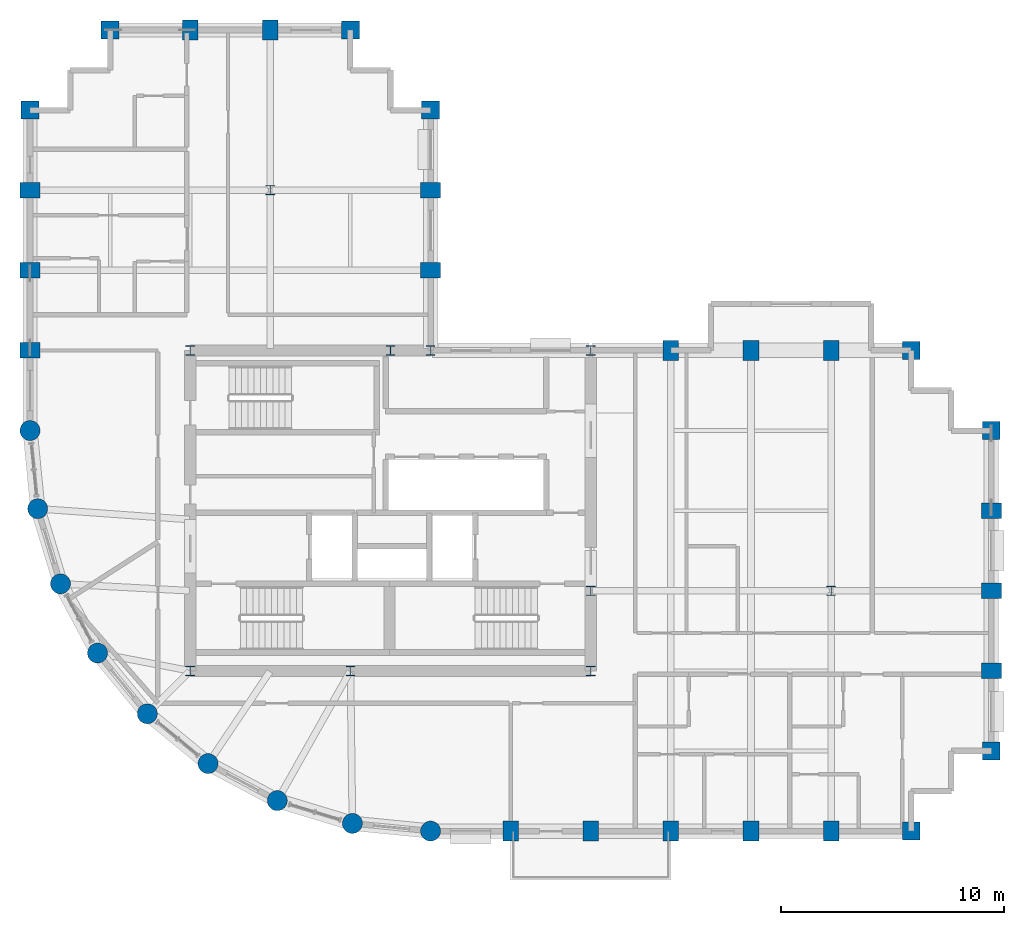
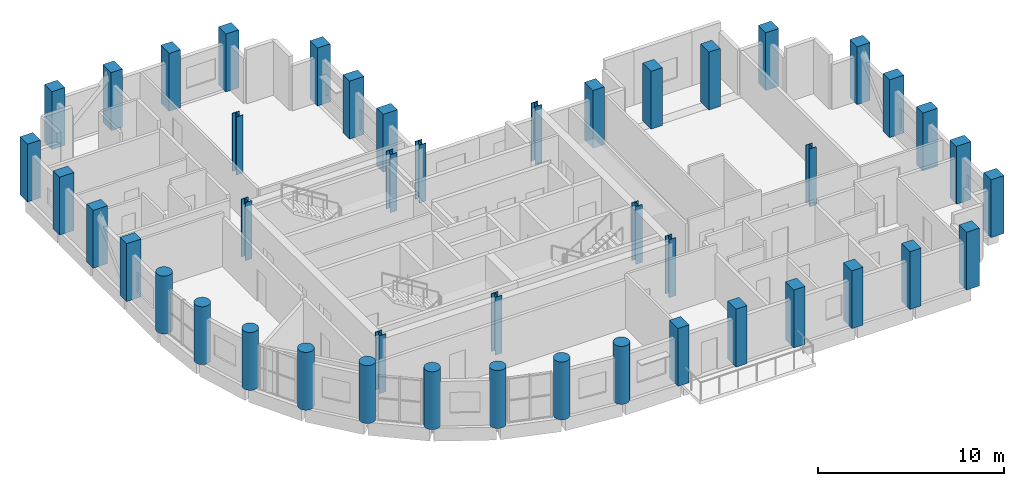
# One storey, part 1 of 12: 45 columns.
"""IFC4 building model written with IfcOpenShell, lengths in metres."""

from ifc_helpers import new_model, si_unit, direction, frame, origin, origin_2d, place, context, subcontext, project, spatial, rectangle, circle, i_section, extrude, material, material_profile, profile_set, type_object, element, save


model = new_model("IFC4")

# Units and contexts
model_context = context("Model", 3, precision=1e-05, world=origin(), true_north=direction((0.0, 1.0)))
body_context = subcontext(model_context, "Body", "Model", "MODEL_VIEW")
ifc_project = project(units=[si_unit("LENGTHUNIT", "METRE"), si_unit("AREAUNIT", "SQUARE_METRE"), si_unit("VOLUMEUNIT", "CUBIC_METRE"), si_unit("PLANEANGLEUNIT", "RADIAN"), si_unit("MASSUNIT", "GRAM", prefix="KILO")], contexts=[model_context])

# Site, building, storey
site_placement = place(None, origin())
site = spatial("IfcSite", under=ifc_project, at=site_placement, CompositionType="ELEMENT")
building_placement = place(site_placement, origin())
building = spatial("IfcBuilding", under=site, at=building_placement, Name="Solnavia Interchange Tower", CompositionType="ELEMENT")
storey_placement = place(building_placement, frame((0.0, 0.0, 182.39990234375)))
storey = spatial("IfcBuildingStorey", under=building, at=storey_placement, Name="L45", CompositionType="ELEMENT", Elevation=182.39990234375)

# Columns
ifc_material_1 = material(Name="Concrete C50/60", Category="concrete")
ifc_material_profile_1 = material_profile(ifc_material_1, rectangle(XDim=0.800048828125, YDim=0.800048828125, at=origin_2d()), Name="RC 800x800")
ifc_profile_set_1 = profile_set([ifc_material_profile_1], Name="Concrete C50/60")
column_type_1 = type_object("IfcColumnType", Name="Col-RC-800x800", PredefinedType="COLUMN", material=ifc_profile_set_1)
for number, where, z_axis, x_axis, name in (
    (1, (7.199951171875, 36.0, 0.0), (0.0, 0.0, 1.0), (0.0, 1.0, 0.0), "COL-L45-05 Tower corner column"),
    (2, (10.800048828125, 39.60009765625, 0.0), (0.0, 0.0, 1.0), (1.0, 0.0, 0.0), "COL-L45-09 Tower corner column"),
    (3, (21.60009765625, 39.60009765625, 0.0), (0.0, 0.0, 1.0), (1.0, 0.0, 0.0), "COL-L45-19 Tower corner column"),
    (4, (25.199951171875, 36.0, 0.0), (0.0, 0.0, 1.0), (0.0, 1.0, 0.0), "COL-L45-26 Tower corner column"),
    (5, (46.800048828125, 3.60009765625, 0.0), (0.0, 0.0, 1.0), (1.0, 0.0, 0.0), "COL-L45-39 Tower corner column"),
    (6, (46.800048828125, 25.199951171875, 0.0), (0.0, 0.0, 1.0), (1.0, 0.0, 0.0), "COL-L45-40 Tower corner column"),
    (7, (50.39990234375, 7.199951171875, 0.0), (0.0, 0.0, 1.0), (1.0, 0.0, 0.0), "COL-L45-41 Tower corner column"),
    (8, (50.39990234375, 21.60009765625, 0.0), (0.0, 0.0, 1.0), (0.0, 1.0, 0.0), "COL-L45-45 Tower corner column"),
):
    element("IfcColumn", number, at=place(storey_placement, frame(where, z_axis=z_axis, x_axis=x_axis)), inside=storey, type_object=column_type_1, Name=name, PredefinedType="COLUMN", context=body_context, shape_type="SweptSolid", body=[
        extrude(rectangle(XDim=0.800048828125, YDim=0.800048828125, at=origin_2d()), origin(), (0.0, 0.0, 1.0), 3.800048828125),
    ])
ifc_material_profile_2 = material_profile(ifc_material_1, rectangle(XDim=0.699951171875, YDim=0.89990234375, at=origin_2d()), Name="RC 900x700")
ifc_profile_set_2 = profile_set([ifc_material_profile_2], Name="Concrete C50/60")
column_type_2 = type_object("IfcColumnType", Name="Col-RC-900x700", PredefinedType="COLUMN", material=ifc_profile_set_2)
for number, where, z_axis, x_axis, name in (
    (9, (7.199951171875, 25.199951171875, 0.0), (0.0, 0.0, 1.0), (0.0, 1.0, 0.0), "COL-L45-02 Tower perim y column"),
    (10, (7.199951171875, 28.800048828125, 0.0), (0.0, 0.0, 1.0), (0.0, 1.0, 0.0), "COL-L45-03 Tower perim y column"),
    (11, (7.199951171875, 32.39990234375, 0.0), (0.0, 0.0, 1.0), (0.0, 1.0, 0.0), "COL-L45-04 Tower perim y column"),
    (12, (14.39990234375, 39.60009765625, 0.0), (0.0, 0.0, 1.0), (1.0, 0.0, 0.0), "COL-L45-13 Tower perim x column"),
    (13, (18.0, 39.60009765625, 0.0), (0.0, 0.0, 1.0), (1.0, 0.0, 0.0), "COL-L45-16 Tower perim x column"),
    (14, (25.199951171875, 28.800048828125, 0.0), (0.0, 0.0, 1.0), (0.0, 1.0, 0.0), "COL-L45-24 Tower perim y column"),
    (15, (25.199951171875, 32.39990234375, 0.0), (0.0, 0.0, 1.0), (0.0, 1.0, 0.0), "COL-L45-25 Tower perim y column"),
    (16, (28.800048828125, 3.60009765625, 0.0), (0.0, 0.0, 1.0), (1.0, 0.0, 0.0), "COL-L45-27 Tower perim x column"),
    (17, (32.39990234375, 3.60009765625, 0.0), (0.0, 0.0, 1.0), (1.0, 0.0, 0.0), "COL-L45-28 Tower perim x column"),
    (18, (36.0, 3.60009765625, 0.0), (0.0, 0.0, 1.0), (1.0, 0.0, 0.0), "COL-L45-32 Tower perim x column"),
    (19, (36.0, 25.199951171875, 0.0), (0.0, 0.0, 1.0), (1.0, 0.0, 0.0), "COL-L45-33 Tower perim x column"),
    (20, (39.60009765625, 3.60009765625, 0.0), (0.0, 0.0, 1.0), (1.0, 0.0, 0.0), "COL-L45-34 Tower perim x column"),
    (21, (39.60009765625, 25.199951171875, 0.0), (0.0, 0.0, 1.0), (1.0, 0.0, 0.0), "COL-L45-35 Tower perim x column"),
    (22, (43.199951171875, 3.60009765625, 0.0), (0.0, 0.0, 1.0), (1.0, 0.0, 0.0), "COL-L45-36 Tower perim x column"),
    (23, (43.199951171875, 25.199951171875, 0.0), (0.0, 0.0, 1.0), (1.0, 0.0, 0.0), "COL-L45-38 Tower perim x column"),
    (24, (50.39990234375, 10.800048828125, 0.0), (0.0, 0.0, 1.0), (0.0, 1.0, 0.0), "COL-L45-42 Tower perim y column"),
    (25, (50.39990234375, 14.39990234375, 0.0), (0.0, 0.0, 1.0), (0.0, 1.0, 0.0), "COL-L45-43 Tower perim y column"),
    (26, (50.39990234375, 18.0, 0.0), (0.0, 0.0, 1.0), (0.0, 1.0, 0.0), "COL-L45-44 Tower perim y column"),
):
    element("IfcColumn", number, at=place(storey_placement, frame(where, z_axis=z_axis, x_axis=x_axis)), inside=storey, type_object=column_type_2, Name=name, PredefinedType="COLUMN", context=body_context, shape_type="SweptSolid", body=[
        extrude(rectangle(XDim=0.699951171875, YDim=0.89990234375, at=origin_2d()), origin(), (0.0, 0.0, 1.0), 3.800048828125),
    ])
ifc_material_profile_3 = material_profile(ifc_material_1, circle(Radius=0.449951171875, at=origin_2d()), Name="RC D900")
ifc_profile_set_3 = profile_set([ifc_material_profile_3], Name="Concrete C50/60")
column_type_3 = type_object("IfcColumnType", Name="Col-RC-D900", PredefinedType="COLUMN", material=ifc_profile_set_3)
for number, where, z_axis, x_axis, name in (
    (27, (7.199951171875, 21.60009765625, 0.0), (0.0, 0.0, 1.0), (1.0, 0.0, 0.0), "COL-L45-01 Tower drum column"),
    (28, (7.5458984375, 18.087890625, 0.0), (0.0, 0.0, 1.0), (1.0, 0.0, 0.0), "COL-L45-06 Tower drum column"),
    (29, (8.570068359375, 14.7119140625, 0.0), (0.0, 0.0, 1.0), (1.0, 0.0, 0.0), "COL-L45-07 Tower drum column"),
    (30, (10.23388671875, 11.60009765625, 0.0), (0.0, 0.0, 1.0), (1.0, 0.0, 0.0), "COL-L45-08 Tower drum column"),
    (31, (12.471923828125, 8.8720703125, 0.0), (0.0, 0.0, 1.0), (1.0, 0.0, 0.0), "COL-L45-10 Tower drum column"),
    (32, (15.199951171875, 6.634033203125, 0.0), (0.0, 0.0, 1.0), (1.0, 0.0, 0.0), "COL-L45-14 Tower drum column"),
    (33, (18.31201171875, 4.969970703125, 0.0), (0.0, 0.0, 1.0), (1.0, 0.0, 0.0), "COL-L45-17 Tower drum column"),
    (34, (21.68798828125, 3.946044921875, 0.0), (0.0, 0.0, 1.0), (1.0, 0.0, 0.0), "COL-L45-20 Tower drum column"),
    (35, (25.199951171875, 3.60009765625, 0.0), (0.0, 0.0, 1.0), (1.0, 0.0, 0.0), "COL-L45-22 Tower drum column"),
):
    element("IfcColumn", number, at=place(storey_placement, frame(where, z_axis=z_axis, x_axis=x_axis)), inside=storey, type_object=column_type_3, Name=name, PredefinedType="COLUMN", context=body_context, shape_type="SweptSolid", body=[
        extrude(circle(Radius=0.449951171875, at=origin_2d()), origin(), (0.0, 0.0, 1.0), 3.800048828125),
    ])
ifc_material_2 = material(Name="Steel S355", Category="steel")
ifc_material_profile_4 = material_profile(ifc_material_2, i_section(OverallWidth=0.416015625, OverallDepth=0.44189453125, WebThickness=0.02490234375, FlangeThickness=0.041015625, FilletRadius=0.014892578125, at=origin_2d()), Name="HD 400x382")
ifc_profile_set_4 = profile_set([ifc_material_profile_4], Name="Steel S355")
column_type_4 = type_object("IfcColumnType", Name="Col-Steel-HD400x382", PredefinedType="COLUMN", material=ifc_profile_set_4)
for number, where, z_axis, x_axis, name in (
    (36, (14.39990234375, 10.800048828125, 0.0), (0.0, 0.0, 1.0), (1.0, 0.0, 0.0), "COL-L45-11 Tower interior column"),
    (37, (14.39990234375, 25.199951171875, 0.0), (0.0, 0.0, 1.0), (1.0, 0.0, 0.0), "COL-L45-12 Tower interior column"),
    (38, (18.0, 32.39990234375, 0.0), (0.0, 0.0, 1.0), (1.0, 0.0, 0.0), "COL-L45-15 Tower interior column"),
    (39, (21.60009765625, 10.800048828125, 0.0), (0.0, 0.0, 1.0), (1.0, 0.0, 0.0), "COL-L45-18 Tower interior column"),
    (40, (23.39990234375, 25.199951171875, 0.0), (0.0, 0.0, 1.0), (1.0, 0.0, 0.0), "COL-L45-21 Tower interior column"),
    (41, (25.199951171875, 25.199951171875, 0.0), (0.0, 0.0, 1.0), (1.0, 0.0, 0.0), "COL-L45-23 Tower interior column"),
    (42, (32.39990234375, 10.800048828125, 0.0), (0.0, 0.0, 1.0), (1.0, 0.0, 0.0), "COL-L45-29 Tower interior column"),
    (43, (32.39990234375, 14.39990234375, 0.0), (0.0, 0.0, 1.0), (1.0, 0.0, 0.0), "COL-L45-30 Tower interior column"),
    (44, (32.39990234375, 25.199951171875, 0.0), (0.0, 0.0, 1.0), (1.0, 0.0, 0.0), "COL-L45-31 Tower interior column"),
    (45, (43.199951171875, 14.39990234375, 0.0), (0.0, 0.0, 1.0), (1.0, 0.0, 0.0), "COL-L45-37 Tower interior column"),
):
    element("IfcColumn", number, at=place(storey_placement, frame(where, z_axis=z_axis, x_axis=x_axis)), inside=storey, type_object=column_type_4, Name=name, PredefinedType="COLUMN", context=body_context, shape_type="SweptSolid", body=[
        extrude(i_section(OverallWidth=0.416015625, OverallDepth=0.44189453125, WebThickness=0.02490234375, FlangeThickness=0.041015625, FilletRadius=0.014892578125, at=origin_2d()), origin(), (0.0, 0.0, 1.0), 3.800048828125),
    ])

save(model, "model.ifc")
